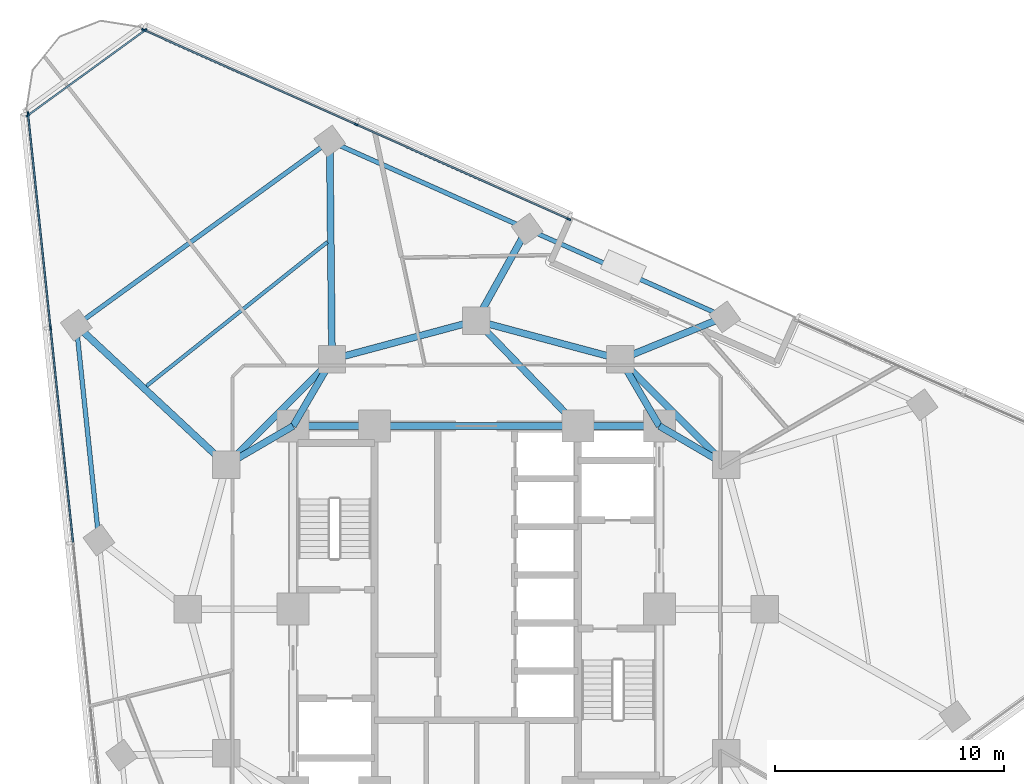
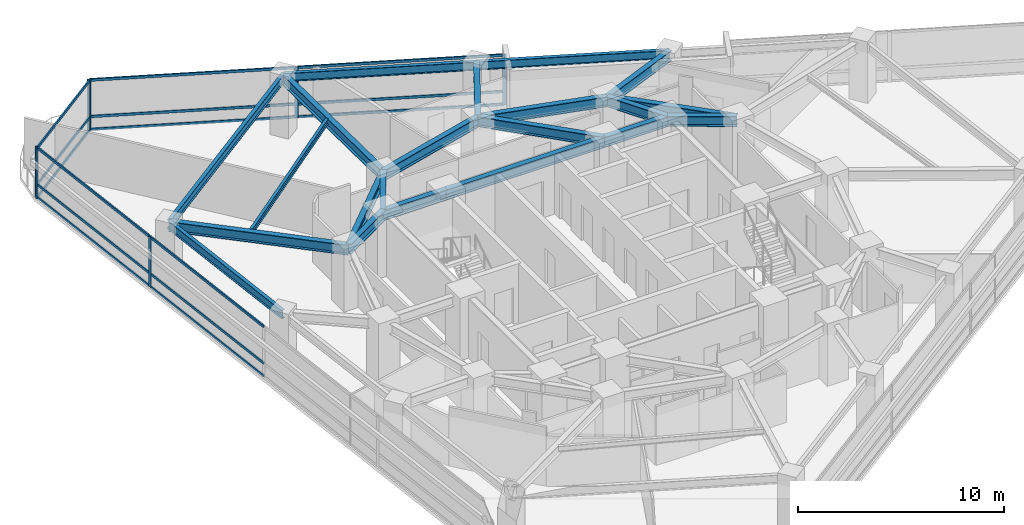
# One storey, part 5 of 14: 22 members, 21 beams, 3 elements without a shape of their own.
"""IFC4 building model written with IfcOpenShell, lengths in metres."""

from ifc_helpers import new_model, si_unit, direction, frame, origin, origin_2d, place, context, subcontext, project, spatial, rectangle, i_section, extrude, material, layer, layer_set, material_profile, profile_set, type_object, element, aggregate, save


model = new_model("IFC4")

# Units and contexts
model_context = context("Model", 3, precision=1e-05, world=origin(), true_north=direction((0.0, 1.0)))
body_context = subcontext(model_context, "Body", "Model", "MODEL_VIEW")
ifc_project = project(units=[si_unit("LENGTHUNIT", "METRE"), si_unit("AREAUNIT", "SQUARE_METRE"), si_unit("VOLUMEUNIT", "CUBIC_METRE"), si_unit("PLANEANGLEUNIT", "RADIAN"), si_unit("MASSUNIT", "GRAM", prefix="KILO")], contexts=[model_context])

# Site, building, storey
site_placement = place(None, origin())
site = spatial("IfcSite", under=ifc_project, at=site_placement, CompositionType="ELEMENT")
building_placement = place(site_placement, origin())
building = spatial("IfcBuilding", under=site, at=building_placement, Name="Terralouvre Media Tower", CompositionType="ELEMENT")
storey_placement = place(building_placement, frame((0.0, 0.0, 176.800048828125)))
storey = spatial("IfcBuildingStorey", under=building, at=storey_placement, Name="L45", CompositionType="ELEMENT", Elevation=176.800048828125)

# Beam
ifc_material_1 = material(Name="Structural steel S355J2", Category="steel")
ifc_material_profile_1 = material_profile(ifc_material_1, i_section(OverallWidth=0.159912109375, OverallDepth=0.330078125, WebThickness=0.007568359375, FlangeThickness=0.011474609375, at=origin_2d()), Name="IPE 330")
ifc_profile_set_1 = profile_set([ifc_material_profile_1], Name="Structural steel S355J2")
beam_type_1 = type_object("IfcBeamType", Name="Composite Floor Joist J-IPE330 (IPE 330)", PredefinedType="JOIST", material=ifc_profile_set_1)
beam_1_placement = place(storey_placement, frame((-6.500732421875, 16.037841796875, 3.3349609375), z_axis=(-0.782373963914, -0.622808943891, 0.0), x_axis=(0.622808943891, -0.782373963914, 0.0)))
element("IfcBeam", 1, at=beam_1_placement, inside=storey, type_object=beam_type_1, Name="L45 Framing Beam JT-L45-05", PredefinedType="JOIST", context=body_context, shape_type="SweptSolid", body=[
    extrude(i_section(OverallWidth=0.159912109375, OverallDepth=0.330078125, WebThickness=0.007568359375, FlangeThickness=0.011474609375, at=origin_2d()), origin(), (0.0, 0.0, 1.0), 10.0966796875),
])

# Curtain wall, members
ifc_material_2 = material(Name="Low-iron laminated double glazing with solar-control coating", Category="glass")
ifc_layer_1 = layer(ifc_material_2, 0.1650390625, Name="Production Studio Tower Curtain Wall CW-03")
ifc_layer_set_1 = layer_set([ifc_layer_1], Name="Low-iron laminated double glazing with solar-control coating")
curtain_wall_type_1 = type_object("IfcCurtainWallType", Name="Production Studio Tower Curtain Wall CW-03", PredefinedType="NOTDEFINED", material=ifc_layer_set_1)
curtain_wall_1_placement = place(storey_placement, origin())
curtain_wall_1 = element("IfcCurtainWall", 2, at=curtain_wall_1_placement, inside=storey, type_object=curtain_wall_type_1, Name="L45 Right Flank Curtain Wall F1", PredefinedType="NOTDEFINED")
ifc_material_3 = material(Name="Anodised extruded aluminium 6063-T6", Category="aluminium")
ifc_material_profile_2 = material_profile(ifc_material_3, rectangle(XDim=0.074951171875, YDim=0.14990234375, at=origin_2d()), Name="ALU 75x150")
ifc_profile_set_2 = profile_set([ifc_material_profile_2], Name="Anodised extruded aluminium 6063-T6")
member_type_1 = type_object("IfcMemberType", Name="Curtain-Wall Horizontal Transom TR-150", PredefinedType="USERDEFINED", material=ifc_profile_set_2)
member_1_placement = place(storey_placement, frame((4.00634765625, 17.050048828125, 0.037353515625), z_axis=(-0.913545881958, 0.406735690047, 0.0), x_axis=(-0.406735690047, -0.913545881958, 0.0)))
member_1 = element("IfcMember", 3, at=member_1_placement, type_object=member_type_1, Name="CW-03 transom 1.1", ObjectType="TRANSOM", PredefinedType="USERDEFINED", context=body_context, shape_type="SweptSolid", body=[
    extrude(rectangle(XDim=0.074951171875, YDim=0.14990234375, at=origin_2d()), origin(), (0.0, 0.0, 1.0), 10.087646484375),
])
member_2_placement = place(storey_placement, frame((4.00634765625, 17.050048828125, 0.800048828125), z_axis=(-0.913545881958, 0.406735690047, 0.0), x_axis=(-0.406735690047, -0.913545881958, 0.0)))
member_2 = element("IfcMember", 4, at=member_2_placement, type_object=member_type_1, Name="CW-03 transom 1.2", ObjectType="TRANSOM", PredefinedType="USERDEFINED", context=body_context, shape_type="SweptSolid", body=[
    extrude(rectangle(XDim=0.074951171875, YDim=0.14990234375, at=origin_2d()), origin(), (0.0, 0.0, 1.0), 10.087646484375),
])
member_3_placement = place(storey_placement, frame((4.00634765625, 17.050048828125, 2.96240234375), z_axis=(-0.913545881958, 0.406735690047, 0.0), x_axis=(-0.406735690047, -0.913545881958, 0.0)))
member_3 = element("IfcMember", 5, at=member_3_placement, type_object=member_type_1, Name="CW-03 transom 1.3", ObjectType="TRANSOM", PredefinedType="USERDEFINED", context=body_context, shape_type="SweptSolid", body=[
    extrude(rectangle(XDim=0.074951171875, YDim=0.14990234375, at=origin_2d()), origin(), (0.0, 0.0, 1.0), 10.087646484375),
])
member_4_placement = place(storey_placement, frame((-5.277587890625, 21.18359375, 0.037353515625), z_axis=(-0.913554874533, 0.406715491735, 0.0), x_axis=(-0.406715491735, -0.913554874533, 0.0)))
member_4 = element("IfcMember", 6, at=member_4_placement, type_object=member_type_1, Name="CW-03 transom 2.1", ObjectType="TRANSOM", PredefinedType="USERDEFINED", context=body_context, shape_type="SweptSolid", body=[
    extrude(rectangle(XDim=0.074951171875, YDim=0.14990234375, at=origin_2d()), origin(), (0.0, 0.0, 1.0), 10.087646484375),
])
member_5_placement = place(storey_placement, frame((-5.277587890625, 21.18359375, 0.800048828125), z_axis=(-0.913554874533, 0.406715491735, 0.0), x_axis=(-0.406715491735, -0.913554874533, 0.0)))
member_5 = element("IfcMember", 7, at=member_5_placement, type_object=member_type_1, Name="CW-03 transom 2.2", ObjectType="TRANSOM", PredefinedType="USERDEFINED", context=body_context, shape_type="SweptSolid", body=[
    extrude(rectangle(XDim=0.074951171875, YDim=0.14990234375, at=origin_2d()), origin(), (0.0, 0.0, 1.0), 10.087646484375),
])
member_6_placement = place(storey_placement, frame((-5.277587890625, 21.18359375, 2.96240234375), z_axis=(-0.913554874533, 0.406715491735, 0.0), x_axis=(-0.406715491735, -0.913554874533, 0.0)))
member_6 = element("IfcMember", 8, at=member_6_placement, type_object=member_type_1, Name="CW-03 transom 2.3", ObjectType="TRANSOM", PredefinedType="USERDEFINED", context=body_context, shape_type="SweptSolid", body=[
    extrude(rectangle(XDim=0.074951171875, YDim=0.14990234375, at=origin_2d()), origin(), (0.0, 0.0, 1.0), 10.087646484375),
])

curtain_wall_2_placement = place(storey_placement, origin())
curtain_wall_2 = element("IfcCurtainWall", 9, at=curtain_wall_2_placement, inside=storey, type_object=curtain_wall_type_1, Name="L45 Facade Curtain Wall F2", PredefinedType="NOTDEFINED")
member_7_placement = place(storey_placement, frame((-19.5703125, 21.59765625, 0.037353515625), z_axis=(0.104540358364, -0.994520645071, 0.0), x_axis=(0.994520645071, 0.104540358364, 0.0)))
member_7 = element("IfcMember", 10, at=member_7_placement, type_object=member_type_1, Name="CW-03 transom 1.1", ObjectType="TRANSOM", PredefinedType="USERDEFINED", context=body_context, shape_type="SweptSolid", body=[
    extrude(rectangle(XDim=0.074951171875, YDim=0.14990234375, at=origin_2d()), origin(), (0.0, 0.0, 1.0), 9.327392578125),
])
member_8_placement = place(storey_placement, frame((-19.5703125, 21.59765625, 0.800048828125), z_axis=(0.104540358364, -0.994520645071, 0.0), x_axis=(0.994520645071, 0.104540358364, 0.0)))
member_8 = element("IfcMember", 11, at=member_8_placement, type_object=member_type_1, Name="CW-03 transom 1.2", ObjectType="TRANSOM", PredefinedType="USERDEFINED", context=body_context, shape_type="SweptSolid", body=[
    extrude(rectangle(XDim=0.074951171875, YDim=0.14990234375, at=origin_2d()), origin(), (0.0, 0.0, 1.0), 9.327392578125),
])
member_9_placement = place(storey_placement, frame((-19.5703125, 21.59765625, 2.96240234375), z_axis=(0.104540358364, -0.994520645071, 0.0), x_axis=(0.994520645071, 0.104540358364, 0.0)))
member_9 = element("IfcMember", 12, at=member_9_placement, type_object=member_type_1, Name="CW-03 transom 1.3", ObjectType="TRANSOM", PredefinedType="USERDEFINED", context=body_context, shape_type="SweptSolid", body=[
    extrude(rectangle(XDim=0.074951171875, YDim=0.14990234375, at=origin_2d()), origin(), (0.0, 0.0, 1.0), 9.327392578125),
])
member_10_placement = place(storey_placement, frame((-18.58740234375, 12.24658203125, 0.037353515625), z_axis=(0.104538223456, -0.994520869483, 0.0), x_axis=(0.994520869483, 0.104538223456, 0.0)))
member_10 = element("IfcMember", 13, at=member_10_placement, type_object=member_type_1, Name="CW-03 transom 2.1", ObjectType="TRANSOM", PredefinedType="USERDEFINED", context=body_context, shape_type="SweptSolid", body=[
    extrude(rectangle(XDim=0.074951171875, YDim=0.14990234375, at=origin_2d()), origin(), (0.0, 0.0, 1.0), 9.364990234375),
])
member_11_placement = place(storey_placement, frame((-18.58740234375, 12.24658203125, 0.800048828125), z_axis=(0.104538223456, -0.994520869483, 0.0), x_axis=(0.994520869483, 0.104538223456, 0.0)))
member_11 = element("IfcMember", 14, at=member_11_placement, type_object=member_type_1, Name="CW-03 transom 2.2", ObjectType="TRANSOM", PredefinedType="USERDEFINED", context=body_context, shape_type="SweptSolid", body=[
    extrude(rectangle(XDim=0.074951171875, YDim=0.14990234375, at=origin_2d()), origin(), (0.0, 0.0, 1.0), 9.364990234375),
])
member_12_placement = place(storey_placement, frame((-18.58740234375, 12.24658203125, 2.96240234375), z_axis=(0.104538223456, -0.994520869483, 0.0), x_axis=(0.994520869483, 0.104538223456, 0.0)))
member_12 = element("IfcMember", 15, at=member_12_placement, type_object=member_type_1, Name="CW-03 transom 2.3", ObjectType="TRANSOM", PredefinedType="USERDEFINED", context=body_context, shape_type="SweptSolid", body=[
    extrude(rectangle(XDim=0.074951171875, YDim=0.14990234375, at=origin_2d()), origin(), (0.0, 0.0, 1.0), 9.364990234375),
])

ifc_material_4 = material(Name="Low-iron laminated double glazing with solar-control coating", Category="glass")
ifc_layer_2 = layer(ifc_material_4, 0.1650390625, Name="Rounded Wind-Corner Curved Glazing CW-04")
ifc_layer_set_2 = layer_set([ifc_layer_2], Name="Low-iron laminated double glazing with solar-control coating")
curtain_wall_type_2 = type_object("IfcCurtainWallType", Name="Rounded Wind-Corner Curved Glazing CW-04", PredefinedType="NOTDEFINED", material=ifc_layer_set_2)
curtain_wall_3_placement = place(storey_placement, origin())
curtain_wall_3 = element("IfcCurtainWall", 16, at=curtain_wall_3_placement, inside=storey, type_object=curtain_wall_type_2, Name="L45 Rounded Wind-Corner Curtain Wall C2", PredefinedType="NOTDEFINED")
member_13_placement = place(storey_placement, frame((-14.4912109375, 25.269287109375, 0.037353515625), z_axis=(-0.809012644162, -0.587791239801, 0.0), x_axis=(0.587791239801, -0.809012644162, 0.0)))
member_13 = element("IfcMember", 17, at=member_13_placement, type_object=member_type_1, Name="CW-04 transom 1.1", ObjectType="TRANSOM", PredefinedType="USERDEFINED", context=body_context, shape_type="SweptSolid", body=[
    extrude(rectangle(XDim=0.074951171875, YDim=0.14990234375, at=origin_2d()), origin(), (0.0, 0.0, 1.0), 6.258544921875),
])
member_14_placement = place(storey_placement, frame((-14.4912109375, 25.269287109375, 0.800048828125), z_axis=(-0.809012644162, -0.587791239801, 0.0), x_axis=(0.587791239801, -0.809012644162, 0.0)))
member_14 = element("IfcMember", 18, at=member_14_placement, type_object=member_type_1, Name="CW-04 transom 1.2", ObjectType="TRANSOM", PredefinedType="USERDEFINED", context=body_context, shape_type="SweptSolid", body=[
    extrude(rectangle(XDim=0.074951171875, YDim=0.14990234375, at=origin_2d()), origin(), (0.0, 0.0, 1.0), 6.258544921875),
])
member_15_placement = place(storey_placement, frame((-14.4912109375, 25.269287109375, 2.96240234375), z_axis=(-0.809012644162, -0.587791239801, 0.0), x_axis=(0.587791239801, -0.809012644162, 0.0)))
member_15 = element("IfcMember", 19, at=member_15_placement, type_object=member_type_1, Name="CW-04 transom 1.3", ObjectType="TRANSOM", PredefinedType="USERDEFINED", context=body_context, shape_type="SweptSolid", body=[
    extrude(rectangle(XDim=0.074951171875, YDim=0.14990234375, at=origin_2d()), origin(), (0.0, 0.0, 1.0), 6.258544921875),
])

# Member
ifc_material_5 = material(Name="Anodised extruded aluminium 6063-T6", Category="aluminium")
ifc_material_profile_3 = material_profile(ifc_material_5, rectangle(XDim=0.074951171875, YDim=0.179931640625, at=origin_2d()), Name="ALU 75x180")
ifc_profile_set_3 = profile_set([ifc_material_profile_3], Name="Anodised extruded aluminium 6063-T6")
member_type_2 = type_object("IfcMemberType", Name="Curtain-Wall Vertical Mullion ML-180", PredefinedType="MULLION", material=ifc_profile_set_3)
member_16_placement = place(storey_placement, frame((4.04052734375, 17.034912109375, 0.0), z_axis=(0.0, 0.0, 1.0), x_axis=(-0.40673610481, -0.913545697294, 0.0)))
member_16 = element("IfcMember", 20, at=member_16_placement, type_object=member_type_2, Name="CW-03 mullion 1", PredefinedType="MULLION", context=body_context, shape_type="SweptSolid", body=[
    extrude(rectangle(XDim=0.074951171875, YDim=0.179931640625, at=origin_2d()), origin(), (0.0, 0.0, 1.0), 3.0),
])

member_17_placement = place(storey_placement, frame((-5.243408203125, 21.168212890625, 0.0), z_axis=(0.0, 0.0, 1.0), x_axis=(-0.40673610481, -0.913545697294, 0.0)))
member_17 = element("IfcMember", 21, at=member_17_placement, type_object=member_type_2, Name="CW-03 mullion 2", PredefinedType="MULLION", context=body_context, shape_type="SweptSolid", body=[
    extrude(rectangle(XDim=0.074951171875, YDim=0.179931640625, at=origin_2d()), origin(), (0.0, 0.0, 1.0), 3.0),
])

member_18_placement = place(storey_placement, frame((-14.52734375, 25.3017578125, 0.0), z_axis=(0.0, 0.0, 1.0), x_axis=(-0.40673610481, -0.913545697294, 0.0)))
member_18 = element("IfcMember", 22, at=member_18_placement, type_object=member_type_2, Name="CW-03 mullion 3", PredefinedType="MULLION", context=body_context, shape_type="SweptSolid", body=[
    extrude(rectangle(XDim=0.074951171875, YDim=0.179931640625, at=origin_2d()), origin(), (0.0, 0.0, 1.0), 3.0),
])

aggregate(curtain_wall_1, [member_16, member_17, member_18, member_1, member_2, member_3, member_4, member_5, member_6])

member_19_placement = place(storey_placement, frame((-19.57421875, 21.635009765625, 0.0), z_axis=(0.0, 0.0, 1.0), x_axis=(0.994521904516, 0.104528376236, 0.0)))
member_19 = element("IfcMember", 23, at=member_19_placement, type_object=member_type_2, Name="CW-03 mullion 1", PredefinedType="MULLION", context=body_context, shape_type="SweptSolid", body=[
    extrude(rectangle(XDim=0.074951171875, YDim=0.179931640625, at=origin_2d()), origin(), (0.0, 0.0, 1.0), 3.0),
])

member_20_placement = place(storey_placement, frame((-18.59130859375, 12.283935546875, 0.0), z_axis=(0.0, 0.0, 1.0), x_axis=(0.994521904516, 0.104528376236, 0.0)))
member_20 = element("IfcMember", 24, at=member_20_placement, type_object=member_type_2, Name="CW-03 mullion 2", PredefinedType="MULLION", context=body_context, shape_type="SweptSolid", body=[
    extrude(rectangle(XDim=0.074951171875, YDim=0.179931640625, at=origin_2d()), origin(), (0.0, 0.0, 1.0), 3.0),
])

aggregate(curtain_wall_2, [member_19, member_20, member_7, member_8, member_9, member_10, member_11, member_12])

member_21_placement = place(storey_placement, frame((-14.4609375, 25.291259765625, 0.0), z_axis=(0.0, 0.0, 1.0), x_axis=(0.587784641221, -0.809017438344, 0.0)))
member_21 = element("IfcMember", 25, at=member_21_placement, type_object=member_type_2, Name="CW-04 mullion 1", PredefinedType="MULLION", context=body_context, shape_type="SweptSolid", body=[
    extrude(rectangle(XDim=0.074951171875, YDim=0.179931640625, at=origin_2d()), origin(), (0.0, 0.0, 1.0), 3.0),
])

member_22_placement = place(storey_placement, frame((-19.584716796875, 21.568603515625, 0.0), z_axis=(0.0, 0.0, 1.0), x_axis=(0.587784641221, -0.809017438344, 0.0)))
member_22 = element("IfcMember", 26, at=member_22_placement, type_object=member_type_2, Name="CW-04 mullion 2", PredefinedType="MULLION", context=body_context, shape_type="SweptSolid", body=[
    extrude(rectangle(XDim=0.074951171875, YDim=0.179931640625, at=origin_2d()), origin(), (0.0, 0.0, 1.0), 3.0),
])

aggregate(curtain_wall_3, [member_21, member_22, member_13, member_14, member_15])

# Beams
ifc_material_6 = material(Name="Structural steel S355J2", Category="steel")
ifc_material_profile_4 = material_profile(ifc_material_6, i_section(OverallWidth=0.199951171875, OverallDepth=0.5, WebThickness=0.01025390625, FlangeThickness=0.01611328125, at=origin_2d()), Name="IPE 500")
ifc_profile_set_4 = profile_set([ifc_material_profile_4], Name="Structural steel S355J2")
beam_type_2 = type_object("IfcBeamType", Name="Perimeter Spandrel Beam SPB-500 (IPE 500)", PredefinedType="SPANDREL", material=ifc_profile_set_4)
for number, where, z_axis, x_axis, name in (
    (27, (10.850341796875, 12.765869140625, 3.25), (-0.913543659167, 0.406740682494, 0.0), (-0.406740682494, -0.913543659167, 0.0), "L45 Framing Beam BM-L45-PR08"),
    (28, (2.2265625, 16.60546875, 3.25), (-0.913543659167, 0.406740682494, 0.0), (-0.406740682494, -0.913543659167, 0.0), "L45 Framing Beam BM-L45-PR09"),
):
    element("IfcBeam", number, at=place(storey_placement, frame(where, z_axis=z_axis, x_axis=x_axis)), inside=storey, type_object=beam_type_2, Name=name, PredefinedType="SPANDREL", context=body_context, shape_type="SweptSolid", body=[
        extrude(i_section(OverallWidth=0.199951171875, OverallDepth=0.5, WebThickness=0.01025390625, FlangeThickness=0.01611328125, at=origin_2d()), origin(), (0.0, 0.0, 1.0), 9.43994140625),
    ])
beam_2_placement = place(storey_placement, frame((-6.397216796875, 20.445068359375, 3.25), z_axis=(-0.80901991627, -0.587781230628, 0.0), x_axis=(0.587781230628, -0.80901991627, 0.0)))
element("IfcBeam", 29, at=beam_2_placement, inside=storey, type_object=beam_type_2, Name="L45 Framing Beam BM-L45-PR10", PredefinedType="SPANDREL", context=body_context, shape_type="SweptSolid", body=[
    extrude(i_section(OverallWidth=0.199951171875, OverallDepth=0.5, WebThickness=0.01025390625, FlangeThickness=0.01611328125, at=origin_2d()), origin(), (0.0, 0.0, 1.0), 13.68359375),
])
beam_3_placement = place(storey_placement, frame((-17.467529296875, 12.402099609375, 3.25), z_axis=(0.10453669331, -0.994521030321, 0.0), x_axis=(0.994521030321, 0.10453669331, 0.0)))
element("IfcBeam", 30, at=beam_3_placement, inside=storey, type_object=beam_type_2, Name="L45 Framing Beam BM-L45-PR11", PredefinedType="SPANDREL", context=body_context, shape_type="SweptSolid", body=[
    extrude(i_section(OverallWidth=0.199951171875, OverallDepth=0.5, WebThickness=0.01025390625, FlangeThickness=0.01611328125, at=origin_2d()), origin(), (0.0, 0.0, 1.0), 9.43994140625),
])
ifc_material_7 = material(Name="Structural steel S460M", Category="steel")
ifc_material_profile_5 = material_profile(ifc_material_7, i_section(OverallWidth=0.300048828125, OverallDepth=0.60009765625, WebThickness=0.015380859375, FlangeThickness=0.030029296875, at=origin_2d()), Name="HEB 600")
ifc_profile_set_5 = profile_set([ifc_material_profile_5], Name="Structural steel S460M")
beam_type_3 = type_object("IfcBeamType", Name="Primary Floor Girder B-HEB600 (HEB 600)", PredefinedType="BEAM", material=ifc_profile_set_5)
beam_4_placement = place(storey_placement, frame((8.0, 8.0, 3.199951171875), z_axis=(-1.0, 0.0, 0.0), x_axis=(0.0, -1.0, 0.0)))
element("IfcBeam", 31, at=beam_4_placement, inside=storey, type_object=beam_type_3, Name="L45 Framing Beam BM-L45-CPR06", PredefinedType="BEAM", context=body_context, shape_type="SweptSolid", body=[
    extrude(i_section(OverallWidth=0.300048828125, OverallDepth=0.60009765625, WebThickness=0.015380859375, FlangeThickness=0.030029296875, at=origin_2d()), origin(), (0.0, 0.0, 1.0), 3.550048828125),
])
beam_5_placement = place(storey_placement, frame((4.449951171875, 8.0, 3.199951171875), z_axis=(-1.0, 0.0, 0.0), x_axis=(0.0, -1.0, 0.0)))
element("IfcBeam", 32, at=beam_5_placement, inside=storey, type_object=beam_type_3, Name="L45 Framing Beam BM-L45-CPR07", PredefinedType="BEAM", context=body_context, shape_type="SweptSolid", body=[
    extrude(i_section(OverallWidth=0.300048828125, OverallDepth=0.60009765625, WebThickness=0.015380859375, FlangeThickness=0.030029296875, at=origin_2d()), origin(), (0.0, 0.0, 1.0), 8.89990234375),
])
beam_6_placement = place(storey_placement, frame((-4.449951171875, 8.0, 3.199951171875), z_axis=(-1.0, 0.0, 0.0), x_axis=(0.0, -1.0, 0.0)))
element("IfcBeam", 33, at=beam_6_placement, inside=storey, type_object=beam_type_3, Name="L45 Framing Beam BM-L45-CPR08", PredefinedType="BEAM", context=body_context, shape_type="SweptSolid", body=[
    extrude(i_section(OverallWidth=0.300048828125, OverallDepth=0.60009765625, WebThickness=0.015380859375, FlangeThickness=0.030029296875, at=origin_2d()), origin(), (0.0, 0.0, 1.0), 3.550048828125),
])
beam_7_placement = place(storey_placement, frame((10.911865234375, 6.300048828125, 3.199951171875), z_axis=(-0.707106781187, 0.707106781187, 0.0), x_axis=(-0.707106781187, -0.707106781187, 0.0)))
element("IfcBeam", 34, at=beam_7_placement, inside=storey, type_object=beam_type_3, Name="L45 Framing Beam BM-L45-MR07", PredefinedType="BEAM", context=body_context, shape_type="SweptSolid", body=[
    extrude(i_section(OverallWidth=0.300048828125, OverallDepth=0.60009765625, WebThickness=0.015380859375, FlangeThickness=0.030029296875, at=origin_2d()), origin(), (0.0, 0.0, 1.0), 6.52197265625),
])
for number, where, z_axis, x_axis, name in (
    (35, (6.300048828125, 10.911865234375, 3.199951171875), (-0.965920481897, 0.258838989821, 0.0), (-0.258838989821, -0.965920481897, 0.0), "L45 Framing Beam BM-L45-MR08"),
    (36, (0.0, 12.60009765625, 3.199951171875), (-0.965920481897, -0.258838989821, 0.0), (0.258838989821, -0.965920481897, 0.0), "L45 Framing Beam BM-L45-MR09"),
):
    element("IfcBeam", number, at=place(storey_placement, frame(where, z_axis=z_axis, x_axis=x_axis)), inside=storey, type_object=beam_type_3, Name=name, PredefinedType="BEAM", context=body_context, shape_type="SweptSolid", body=[
        extrude(i_section(OverallWidth=0.300048828125, OverallDepth=0.60009765625, WebThickness=0.015380859375, FlangeThickness=0.030029296875, at=origin_2d()), origin(), (0.0, 0.0, 1.0), 6.522216796875),
    ])
beam_8_placement = place(storey_placement, frame((-6.300048828125, 10.911865234375, 3.199951171875), z_axis=(-0.707106781187, -0.707106781187, 0.0), x_axis=(0.707106781187, -0.707106781187, 0.0)))
element("IfcBeam", 37, at=beam_8_placement, inside=storey, type_object=beam_type_3, Name="L45 Framing Beam BM-L45-MR10", PredefinedType="BEAM", context=body_context, shape_type="SweptSolid", body=[
    extrude(i_section(OverallWidth=0.300048828125, OverallDepth=0.60009765625, WebThickness=0.015380859375, FlangeThickness=0.030029296875, at=origin_2d()), origin(), (0.0, 0.0, 1.0), 6.52197265625),
])
for number, where, z_axis, x_axis, name in (
    (38, (8.0, 8.0, 3.199951171875), (0.863602894532, -0.504172629717, 0.0), (0.504172629717, 0.863602894532, 0.0), "L45 Framing Beam BM-L45-CM07"),
    (39, (8.0, 8.0, 3.199951171875), (-0.504172629717, 0.863602894532, 0.0), (-0.863602894532, -0.504172629717, 0.0), "L45 Framing Beam BM-L45-CM08"),
):
    element("IfcBeam", number, at=place(storey_placement, frame(where, z_axis=z_axis, x_axis=x_axis)), inside=storey, type_object=beam_type_3, Name=name, PredefinedType="BEAM", context=body_context, shape_type="SweptSolid", body=[
        extrude(i_section(OverallWidth=0.300048828125, OverallDepth=0.60009765625, WebThickness=0.015380859375, FlangeThickness=0.030029296875, at=origin_2d()), origin(), (0.0, 0.0, 1.0), 3.371826171875),
    ])
beam_9_placement = place(storey_placement, frame((4.449951171875, 8.0, 3.199951171875), z_axis=(-0.695279715726, 0.718739255155, 0.0), x_axis=(-0.718739255155, -0.695279715726, 0.0)))
element("IfcBeam", 40, at=beam_9_placement, inside=storey, type_object=beam_type_3, Name="L45 Framing Beam BM-L45-CM09", PredefinedType="BEAM", context=body_context, shape_type="SweptSolid", body=[
    extrude(i_section(OverallWidth=0.300048828125, OverallDepth=0.60009765625, WebThickness=0.015380859375, FlangeThickness=0.030029296875, at=origin_2d()), origin(), (0.0, 0.0, 1.0), 6.400146484375),
])
for number, where, z_axis, x_axis, name in (
    (41, (-8.0, 8.0, 3.199951171875), (0.504172629717, 0.863602894532, 0.0), (-0.863602894532, 0.504172629717, 0.0), "L45 Framing Beam BM-L45-CM10"),
    (42, (-8.0, 8.0, 3.199951171875), (-0.863602894532, -0.504172629717, 0.0), (0.504172629717, -0.863602894532, 0.0), "L45 Framing Beam BM-L45-CM11"),
):
    element("IfcBeam", number, at=place(storey_placement, frame(where, z_axis=z_axis, x_axis=x_axis)), inside=storey, type_object=beam_type_3, Name=name, PredefinedType="BEAM", context=body_context, shape_type="SweptSolid", body=[
        extrude(i_section(OverallWidth=0.300048828125, OverallDepth=0.60009765625, WebThickness=0.015380859375, FlangeThickness=0.030029296875, at=origin_2d()), origin(), (0.0, 0.0, 1.0), 3.371826171875),
    ])
beam_10_placement = place(storey_placement, frame((6.300048828125, 10.911865234375, 3.199951171875), z_axis=(0.926079498884, 0.377328453403, 0.0), x_axis=(-0.377328453403, 0.926079498884, 0.0)))
element("IfcBeam", 43, at=beam_10_placement, inside=storey, type_object=beam_type_3, Name="L45 Framing Beam BM-L45-RD08", PredefinedType="BEAM", context=body_context, shape_type="SweptSolid", body=[
    extrude(i_section(OverallWidth=0.300048828125, OverallDepth=0.60009765625, WebThickness=0.015380859375, FlangeThickness=0.030029296875, at=origin_2d()), origin(), (0.0, 0.0, 1.0), 4.91357421875),
])
beam_11_placement = place(storey_placement, frame((0.0, 12.60009765625, 3.199951171875), z_axis=(0.485869082881, 0.874031597999, 0.0), x_axis=(-0.874031597999, 0.485869082881, 0.0)))
element("IfcBeam", 44, at=beam_11_placement, inside=storey, type_object=beam_type_3, Name="L45 Framing Beam BM-L45-RD09", PredefinedType="BEAM", context=body_context, shape_type="SweptSolid", body=[
    extrude(i_section(OverallWidth=0.300048828125, OverallDepth=0.60009765625, WebThickness=0.015380859375, FlangeThickness=0.030029296875, at=origin_2d()), origin(), (0.0, 0.0, 1.0), 4.58251953125),
])
beam_12_placement = place(storey_placement, frame((-6.300048828125, 10.911865234375, 3.199951171875), z_axis=(-0.010192054081, 0.999948059668, 0.0), x_axis=(-0.999948059668, -0.010192054081, 0.0)))
element("IfcBeam", 45, at=beam_12_placement, inside=storey, type_object=beam_type_3, Name="L45 Framing Beam BM-L45-RD10", PredefinedType="BEAM", context=body_context, shape_type="SweptSolid", body=[
    extrude(i_section(OverallWidth=0.300048828125, OverallDepth=0.60009765625, WebThickness=0.015380859375, FlangeThickness=0.030029296875, at=origin_2d()), origin(), (0.0, 0.0, 1.0), 9.53369140625),
])
beam_13_placement = place(storey_placement, frame((-10.911865234375, 6.300048828125, 3.199951171875), z_axis=(-0.731977414873, 0.6813288957, 0.0), x_axis=(-0.6813288957, -0.731977414873, 0.0)))
element("IfcBeam", 46, at=beam_13_placement, inside=storey, type_object=beam_type_3, Name="L45 Framing Beam BM-L45-RD11", PredefinedType="BEAM", context=body_context, shape_type="SweptSolid", body=[
    extrude(i_section(OverallWidth=0.300048828125, OverallDepth=0.60009765625, WebThickness=0.015380859375, FlangeThickness=0.030029296875, at=origin_2d()), origin(), (0.0, 0.0, 1.0), 8.9560546875),
])

save(model, "model.ifc")
